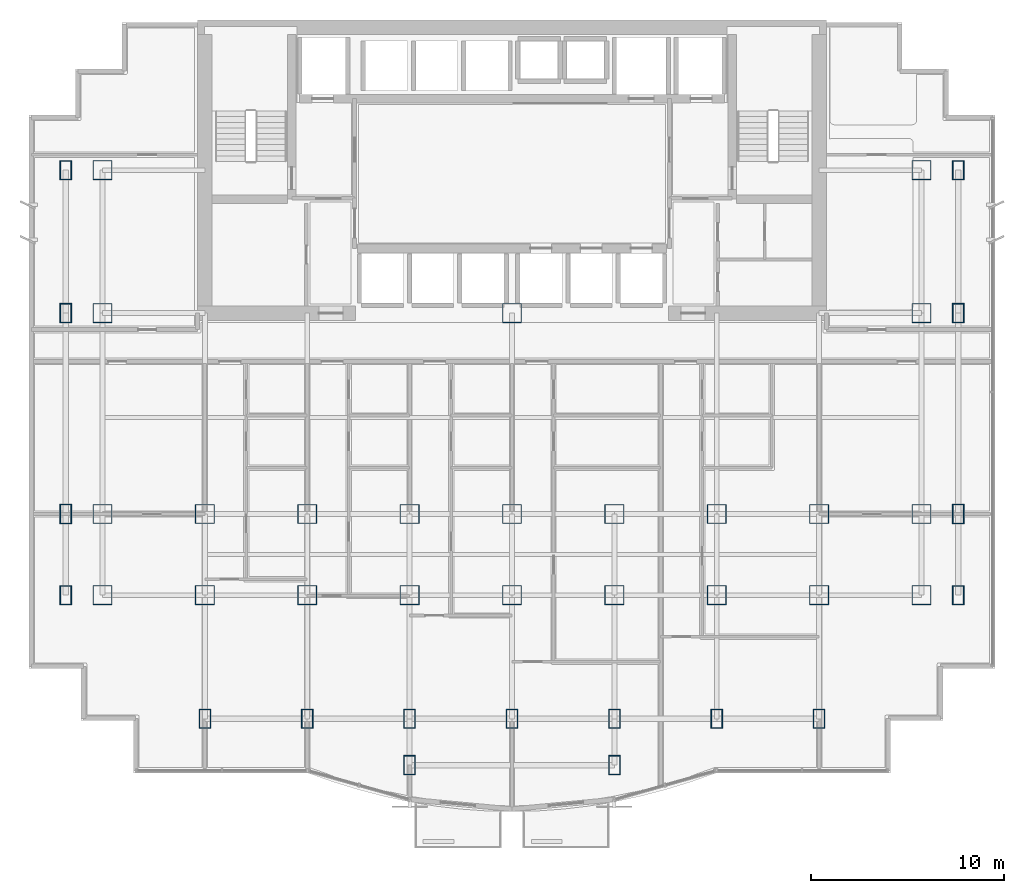
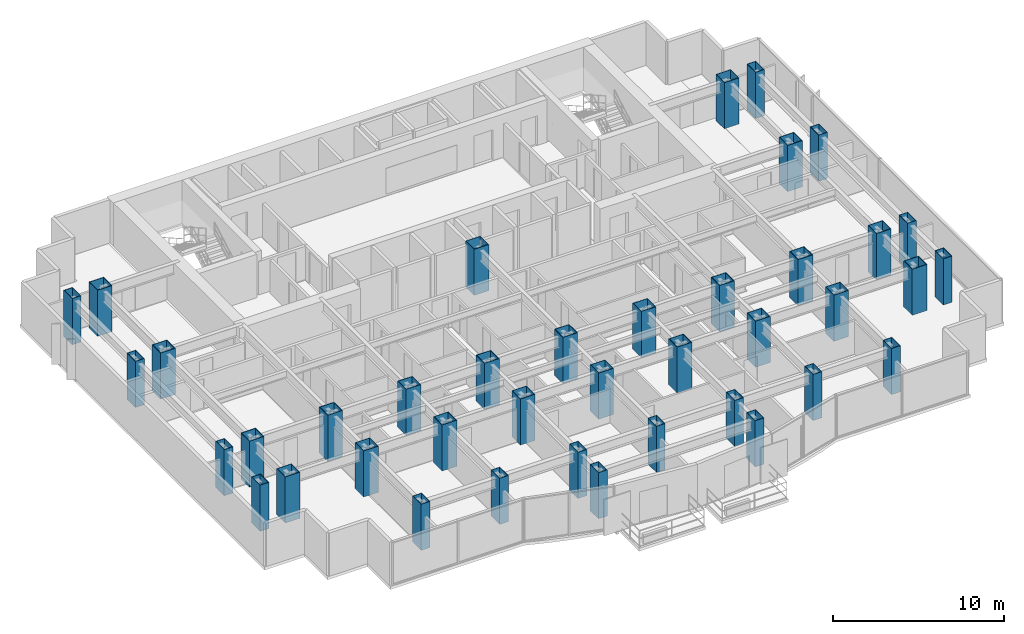
# One storey, part 1 of 12: 40 columns.
"""IFC4 building model written with IfcOpenShell, lengths in metres."""

from ifc_helpers import new_model, si_unit, direction, frame, origin, origin_2d, place, context, subcontext, project, spatial, hollow_rectangle, extrude, material, material_profile, profile_set, type_object, element, save


model = new_model("IFC4")

# Units and contexts
model_context = context("Model", 3, precision=1e-05, world=origin(), true_north=direction((0.0, 1.0)))
body_context = subcontext(model_context, "Body", "Model", "MODEL_VIEW")
ifc_project = project(units=[si_unit("LENGTHUNIT", "METRE"), si_unit("AREAUNIT", "SQUARE_METRE"), si_unit("VOLUMEUNIT", "CUBIC_METRE"), si_unit("PLANEANGLEUNIT", "RADIAN"), si_unit("MASSUNIT", "GRAM", prefix="KILO")], contexts=[model_context])

# Site, building, storey
site_placement = place(None, origin())
site = spatial("IfcSite", under=ifc_project, at=site_placement, CompositionType="ELEMENT")
building_placement = place(site_placement, origin())
building = spatial("IfcBuilding", under=site, at=building_placement, Name="Qianlan Lanfeng Residences", CompositionType="ELEMENT")
storey_placement = place(building_placement, frame((0.0, 0.0, 81.699951171875)))
storey = spatial("IfcBuildingStorey", under=building, at=storey_placement, Name="L21", CompositionType="ELEMENT", Elevation=81.699951171875)

# Columns
ifc_material = material(Name="Steel SN490B", Category="steel")
ifc_material_profile_1 = material_profile(ifc_material, hollow_rectangle(XDim=1.0, YDim=1.0, WallThickness=0.035888671875, at=origin_2d()), Name="BOX 1000x1000x36")
ifc_profile_set_1 = profile_set([ifc_material_profile_1], Name="Steel SN490B")
column_type_1 = type_object("IfcColumnType", Name="C-B1200", PredefinedType="COLUMN", material=ifc_profile_set_1)
for number, where, z_axis, x_axis, name in (
    (1, (26.5, 25.199951171875, 0.0), (0.0, 0.0, 1.0), (1.0, 0.0, 0.0), "L21 Structural Column CP_26.5_25.2"),
    (2, (10.60009765625, 14.800048828125, 0.0), (0.0, 0.0, 1.0), (1.0, 0.0, 0.0), "L21 Structural Column M_10.60_14.80"),
    (3, (10.60009765625, 10.60009765625, 0.0), (0.0, 0.0, 1.0), (1.0, 0.0, 0.0), "L21 Structural Column G_10.60_10.60"),
    (4, (15.89990234375, 14.800048828125, 0.0), (0.0, 0.0, 1.0), (1.0, 0.0, 0.0), "L21 Structural Column M_15.90_14.80"),
    (5, (15.89990234375, 10.60009765625, 0.0), (0.0, 0.0, 1.0), (1.0, 0.0, 0.0), "L21 Structural Column G_15.90_10.60"),
    (6, (21.199951171875, 14.800048828125, 0.0), (0.0, 0.0, 1.0), (1.0, 0.0, 0.0), "L21 Structural Column M_21.20_14.80"),
    (7, (21.199951171875, 10.60009765625, 0.0), (0.0, 0.0, 1.0), (1.0, 0.0, 0.0), "L21 Structural Column G_21.20_10.60"),
    (8, (26.5, 14.800048828125, 0.0), (0.0, 0.0, 1.0), (1.0, 0.0, 0.0), "L21 Structural Column M_26.50_14.80"),
    (9, (26.5, 10.60009765625, 0.0), (0.0, 0.0, 1.0), (1.0, 0.0, 0.0), "L21 Structural Column G_26.50_10.60"),
    (10, (31.800048828125, 14.800048828125, 0.0), (0.0, 0.0, 1.0), (1.0, 0.0, 0.0), "L21 Structural Column M_31.80_14.80"),
    (11, (31.800048828125, 10.60009765625, 0.0), (0.0, 0.0, 1.0), (1.0, 0.0, 0.0), "L21 Structural Column G_31.80_10.60"),
    (12, (37.10009765625, 14.800048828125, 0.0), (0.0, 0.0, 1.0), (1.0, 0.0, 0.0), "L21 Structural Column M_37.10_14.80"),
    (13, (37.10009765625, 10.60009765625, 0.0), (0.0, 0.0, 1.0), (1.0, 0.0, 0.0), "L21 Structural Column G_37.10_10.60"),
    (14, (42.39990234375, 14.800048828125, 0.0), (0.0, 0.0, 1.0), (1.0, 0.0, 0.0), "L21 Structural Column M_42.40_14.80"),
    (15, (42.39990234375, 10.60009765625, 0.0), (0.0, 0.0, 1.0), (1.0, 0.0, 0.0), "L21 Structural Column G_42.40_10.60"),
    (16, (5.300048828125, 10.60009765625, 0.0), (0.0, 0.0, 1.0), (1.0, 0.0, 0.0), "L21 Structural Column W_5.30_10.60"),
    (17, (5.300048828125, 14.800048828125, 0.0), (0.0, 0.0, 1.0), (1.0, 0.0, 0.0), "L21 Structural Column W_5.30_14.80"),
    (18, (5.300048828125, 25.199951171875, 0.0), (0.0, 0.0, 1.0), (1.0, 0.0, 0.0), "L21 Structural Column W_5.30_25.20"),
    (19, (5.300048828125, 32.60009765625, 0.0), (0.0, 0.0, 1.0), (1.0, 0.0, 0.0), "L21 Structural Column W_5.30_32.60"),
    (20, (47.699951171875, 10.60009765625, 0.0), (0.0, 0.0, 1.0), (1.0, 0.0, 0.0), "L21 Structural Column W_47.70_10.60"),
    (21, (47.699951171875, 14.800048828125, 0.0), (0.0, 0.0, 1.0), (1.0, 0.0, 0.0), "L21 Structural Column W_47.70_14.80"),
    (22, (47.699951171875, 25.199951171875, 0.0), (0.0, 0.0, 1.0), (1.0, 0.0, 0.0), "L21 Structural Column W_47.70_25.20"),
    (23, (47.699951171875, 32.60009765625, 0.0), (0.0, 0.0, 1.0), (1.0, 0.0, 0.0), "L21 Structural Column W_47.70_32.60"),
):
    element("IfcColumn", number, at=place(storey_placement, frame(where, z_axis=z_axis, x_axis=x_axis)), inside=storey, type_object=column_type_1, Name=name, PredefinedType="COLUMN", context=body_context, shape_type="SweptSolid", body=[
        extrude(hollow_rectangle(XDim=1.0, YDim=1.0, WallThickness=0.035888671875, at=origin_2d()), origin(), (0.0, 0.0, 1.0), 3.300048828125),
    ])
ifc_material_profile_2 = material_profile(ifc_material, hollow_rectangle(XDim=0.60009765625, YDim=1.0, WallThickness=0.031982421875, at=origin_2d()), Name="BOX 1000x600x32")
ifc_profile_set_2 = profile_set([ifc_material_profile_2], Name="Steel SN490B")
column_type_2 = type_object("IfcColumnType", Name="CE-B1100", PredefinedType="COLUMN", material=ifc_profile_set_2)
for number, where, z_axis, x_axis, name in (
    (24, (21.199951171875, 1.800048828125, 0.0), (0.0, 0.0, 1.0), (1.0, 0.0, 0.0), "L21 Structural Column P_21.20_1.80"),
    (25, (31.800048828125, 1.800048828125, 0.0), (0.0, 0.0, 1.0), (1.0, 0.0, 0.0), "L21 Structural Column P_31.80_1.80"),
    (26, (10.60009765625, 4.199951171875, 0.0), (0.0, 0.0, 1.0), (1.0, 0.0, 0.0), "L21 Structural Column S_10.60_4.20"),
    (27, (15.89990234375, 4.199951171875, 0.0), (0.0, 0.0, 1.0), (1.0, 0.0, 0.0), "L21 Structural Column S_15.90_4.20"),
    (28, (21.199951171875, 4.199951171875, 0.0), (0.0, 0.0, 1.0), (1.0, 0.0, 0.0), "L21 Structural Column S_21.20_4.20"),
    (29, (26.5, 4.199951171875, 0.0), (0.0, 0.0, 1.0), (1.0, 0.0, 0.0), "L21 Structural Column S_26.50_4.20"),
    (30, (31.800048828125, 4.199951171875, 0.0), (0.0, 0.0, 1.0), (1.0, 0.0, 0.0), "L21 Structural Column S_31.80_4.20"),
    (31, (37.10009765625, 4.199951171875, 0.0), (0.0, 0.0, 1.0), (1.0, 0.0, 0.0), "L21 Structural Column S_37.10_4.20"),
    (32, (42.39990234375, 4.199951171875, 0.0), (0.0, 0.0, 1.0), (1.0, 0.0, 0.0), "L21 Structural Column S_42.40_4.20"),
    (33, (3.39990234375, 10.60009765625, 0.0), (0.0, 0.0, 1.0), (1.0, 0.0, 0.0), "L21 Structural Column W_3.40_10.60"),
    (34, (3.39990234375, 14.800048828125, 0.0), (0.0, 0.0, 1.0), (1.0, 0.0, 0.0), "L21 Structural Column W_3.40_14.80"),
    (35, (3.39990234375, 25.199951171875, 0.0), (0.0, 0.0, 1.0), (1.0, 0.0, 0.0), "L21 Structural Column W_3.40_25.20"),
    (36, (3.39990234375, 32.60009765625, 0.0), (0.0, 0.0, 1.0), (1.0, 0.0, 0.0), "L21 Structural Column W_3.40_32.60"),
    (37, (49.60009765625, 10.60009765625, 0.0), (0.0, 0.0, 1.0), (1.0, 0.0, 0.0), "L21 Structural Column W_49.60_10.60"),
    (38, (49.60009765625, 14.800048828125, 0.0), (0.0, 0.0, 1.0), (1.0, 0.0, 0.0), "L21 Structural Column W_49.60_14.80"),
    (39, (49.60009765625, 25.199951171875, 0.0), (0.0, 0.0, 1.0), (1.0, 0.0, 0.0), "L21 Structural Column W_49.60_25.20"),
    (40, (49.60009765625, 32.60009765625, 0.0), (0.0, 0.0, 1.0), (1.0, 0.0, 0.0), "L21 Structural Column W_49.60_32.60"),
):
    element("IfcColumn", number, at=place(storey_placement, frame(where, z_axis=z_axis, x_axis=x_axis)), inside=storey, type_object=column_type_2, Name=name, PredefinedType="COLUMN", context=body_context, shape_type="SweptSolid", body=[
        extrude(hollow_rectangle(XDim=0.60009765625, YDim=1.0, WallThickness=0.031982421875, at=origin_2d()), origin(), (0.0, 0.0, 1.0), 3.300048828125),
    ])

save(model, "model.ifc")
